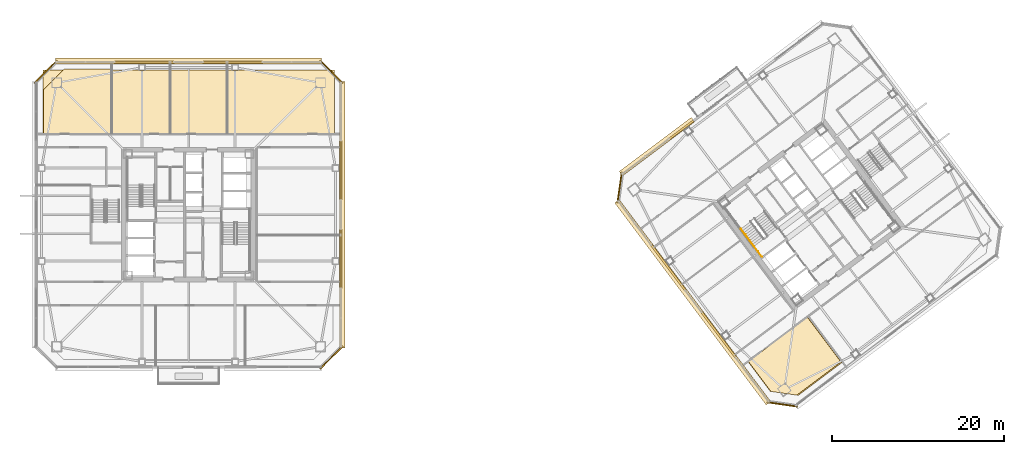
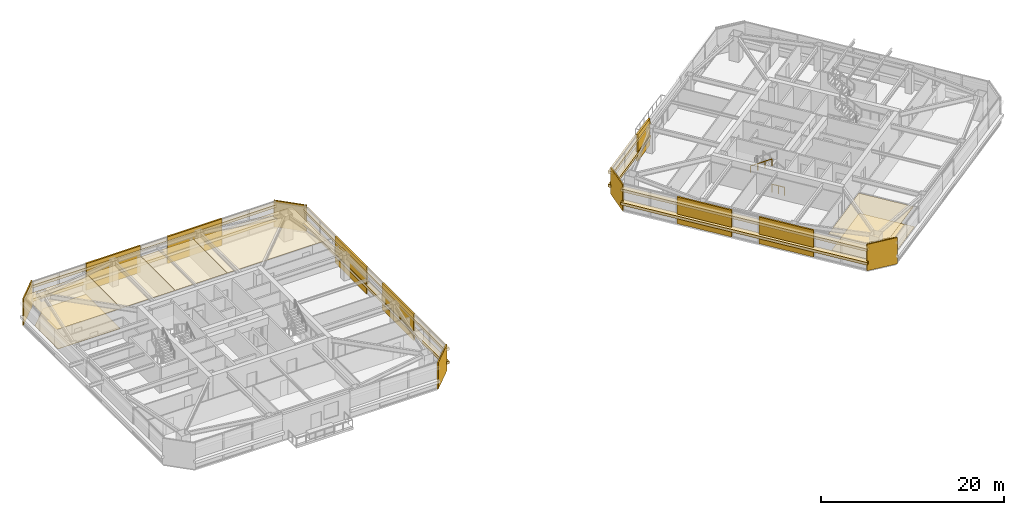
# One storey, part 41 of 44: 27 coverings, 2 railings.
"""IFC4 building model written with IfcOpenShell, lengths in metres."""

from ifc_helpers import new_model, si_unit, direction, frame, origin, origin_2d, place, context, subcontext, project, spatial, polyline, rectangle, outline, extrude, material, layer, layer_set, type_object, element, save


model = new_model("IFC4")

# Units and contexts
model_context = context("Model", 3, precision=1e-05, world=origin(), true_north=direction((0.0, 1.0)))
body_context = subcontext(model_context, "Body", "Model", "MODEL_VIEW")
ifc_project = project(units=[si_unit("LENGTHUNIT", "METRE"), si_unit("AREAUNIT", "SQUARE_METRE"), si_unit("VOLUMEUNIT", "CUBIC_METRE"), si_unit("PLANEANGLEUNIT", "RADIAN"), si_unit("MASSUNIT", "GRAM", prefix="KILO")], contexts=[model_context])

# Site, building, storey
site_placement = place(None, origin())
site = spatial("IfcSite", under=ifc_project, at=site_placement, CompositionType="ELEMENT")
building_placement = place(site_placement, origin())
building = spatial("IfcBuilding", under=site, at=building_placement, Name="Tashvorn Skyway Center", CompositionType="ELEMENT")
storey_placement = place(building_placement, frame((0.0, 0.0, 181.85009765625)))
storey = spatial("IfcBuildingStorey", under=building, at=storey_placement, Name="L49", CompositionType="ELEMENT", Elevation=181.85009765625)

# Coverings
ifc_material_1 = material(Name="Precast concrete C40/50", Category="concrete")
ifc_layer_1 = layer(ifc_material_1, 0.199951171875)
ifc_layer_set_1 = layer_set([ifc_layer_1], Name="Precast concrete C40/50")
covering_type_1 = type_object("IfcCoveringType", Name="COV-BRACE-CLAD", PredefinedType="CLADDING", material=ifc_layer_set_1)
for number, where, z_axis, x_axis, name in (
    (1, (36.873291015625, 49.679931640625, 0.0), (0.0, 0.0, 1.0), (1.0, 0.0, 0.0), "Tower 1 L49 North Unitised Curtain Wall Mega-Brace Cladding Band 1"),
    (2, (47.126708984375, 49.679931640625, 0.0), (0.0, 0.0, 1.0), (1.0, 0.0, 0.0), "Tower 1 L49 North Unitised Curtain Wall Mega-Brace Cladding Band 2"),
    (3, (59.679931640625, 37.126708984375, 0.0), (0.0, 0.0, 1.0), (0.0, -1.0, 0.0), "Tower 1 L49 East Unitised Curtain Wall Mega-Brace Cladding Band 1"),
    (4, (59.679931640625, 26.873291015625, 0.0), (0.0, 0.0, 1.0), (0.0, -1.0, 0.0), "Tower 1 L49 East Unitised Curtain Wall Mega-Brace Cladding Band 2"),
):
    element("IfcCovering", number, at=place(storey_placement, frame(where, z_axis=z_axis, x_axis=x_axis)), inside=storey, type_object=covering_type_1, Name=name, PredefinedType="CLADDING", context=body_context, shape_type="SweptSolid", body=[
        extrude(rectangle(XDim=6.83544921875, YDim=0.199951171875, at=origin_2d()), origin(), (0.0, 0.0, 1.0), 3.550048828125),
    ])
for number, where, z_axis, x_axis, name in (
    (5, (103.491943359375, 18.0439453125, 0.0), (0.0, 0.0, 1.0), (-0.600000004945, 0.799999996291, 0.0), "Tower 2 L49 West Unitised Curtain Wall Mega-Brace Cladding Band 1"),
    (6, (97.659912109375, 25.820068359375, 0.0), (0.0, 0.0, 1.0), (-0.600000004945, 0.799999996291, 0.0), "Tower 2 L49 West Unitised Curtain Wall Mega-Brace Cladding Band 2"),
):
    element("IfcCovering", number, at=place(storey_placement, frame(where, z_axis=z_axis, x_axis=x_axis)), inside=storey, type_object=covering_type_1, Name=name, PredefinedType="CLADDING", context=body_context, shape_type="SweptSolid", body=[
        extrude(rectangle(XDim=6.47998046875, YDim=0.199951171875, at=origin_2d()), origin(), (0.0, 0.0, 1.0), 3.550048828125),
    ])
covering_1_placement = place(storey_placement, frame((99.154541015625, 41.841064453125, 0.0), z_axis=(0.0, 0.0, 1.0), x_axis=(0.799999996291, 0.600000004945, 0.0)))
element("IfcCovering", 7, at=covering_1_placement, inside=storey, type_object=covering_type_1, Name="Tower 2 L49 North Curtain Wall L Mega-Brace Cladding Band 1", PredefinedType="CLADDING", context=body_context, shape_type="SweptSolid", body=[
    extrude(rectangle(XDim=3.443359375, YDim=0.199951171875, at=origin_2d()), origin(), (0.0, 0.0, 1.0), 3.550048828125),
])
ifc_material_2 = material(Name="Mineral-fibre acoustic ceiling tile on suspended grid")
ifc_layer_2 = layer(ifc_material_2, 0.02001953125)
ifc_layer_set_2 = layer_set([ifc_layer_2], Name="Mineral-fibre acoustic ceiling tile on suspended grid")
covering_type_2 = type_object("IfcCoveringType", Name="COV-CEIL-20", PredefinedType="CEILING", material=ifc_layer_set_2)
covering_2_placement = place(storey_placement, frame((0.0, 0.0, 2.702880859375)))
element("IfcCovering", 8, at=covering_2_placement, inside=storey, type_object=covering_type_2, Name="Tower 1 L49 Conference Room Acoustic Ceiling", PredefinedType="CEILING", context=body_context, shape_type="SweptSolid", body=[
    extrude(outline(polyline([(25.10009765625, 41.35009765625), (33.10009765625, 41.35009765625), (33.10009765625, 48.800048828125), (25.10009765625, 48.800048828125), (25.10009765625, 41.35009765625)])), origin(), (0.0, 0.0, 1.0), 0.02001953125),
])
covering_3_placement = place(storey_placement, frame((0.0, 0.0, 2.702880859375)))
element("IfcCovering", 9, at=covering_3_placement, inside=storey, type_object=covering_type_2, Name="Tower 1 L49 Conference Room Acoustic Ceiling", PredefinedType="CEILING", context=body_context, shape_type="SweptSolid", body=[
    extrude(outline(polyline([(33.10009765625, 41.35009765625), (39.89990234375, 41.35009765625), (39.89990234375, 48.800048828125), (33.10009765625, 48.800048828125), (33.10009765625, 41.35009765625)])), origin(), (0.0, 0.0, 1.0), 0.02001953125),
])
covering_4_placement = place(storey_placement, frame((0.0, 0.0, 2.702880859375)))
element("IfcCovering", 10, at=covering_4_placement, inside=storey, type_object=covering_type_2, Name="Tower 1 L49 Design Studio Acoustic Ceiling", PredefinedType="CEILING", context=body_context, shape_type="SweptSolid", body=[
    extrude(outline(polyline([(39.89990234375, 41.35009765625), (46.5, 41.35009765625), (46.5, 48.800048828125), (39.89990234375, 48.800048828125), (39.89990234375, 41.35009765625)])), origin(), (0.0, 0.0, 1.0), 0.02001953125),
])
covering_5_placement = place(storey_placement, frame((0.0, 0.0, 2.702880859375)))
element("IfcCovering", 11, at=covering_5_placement, inside=storey, type_object=covering_type_2, Name="Tower 1 L49 Gallery Showroom Acoustic Ceiling", PredefinedType="CEILING", context=body_context, shape_type="SweptSolid", body=[
    extrude(outline(polyline([(46.5, 41.35009765625), (58.89990234375, 41.35009765625), (58.89990234375, 48.800048828125), (46.5, 48.800048828125), (46.5, 41.35009765625)])), origin(), (0.0, 0.0, 1.0), 0.02001953125),
])
covering_6_placement = place(storey_placement, frame((0.0, 0.0, 2.702880859375)))
element("IfcCovering", 12, at=covering_6_placement, inside=storey, type_object=covering_type_2, Name="Tower 2 L49 Wellness Clinic Acoustic Ceiling", PredefinedType="CEILING", context=body_context, shape_type="SweptSolid", body=[
    extrude(outline(polyline([(106.929931640625, 14.9599609375), (113.778076171875, 20.095947265625), (117.672119140625, 14.904052734375), (112.552001953125, 11.06396484375), (109.528076171875, 11.49609375), (106.929931640625, 14.9599609375)])), origin(), (0.0, 0.0, 1.0), 0.02001953125),
])
ifc_material_3 = material(Name="Polished Mojave desert-aggregate terrazzo and cover plate")
ifc_layer_3 = layer(ifc_material_3, 0.0400390625)
ifc_layer_set_3 = layer_set([ifc_layer_3], Name="Polished Mojave desert-aggregate terrazzo and cover plate")
covering_type_3 = type_object("IfcCoveringType", Name="COV-FLR-40", PredefinedType="FLOORING", material=ifc_layer_set_3)
covering_7_placement = place(storey_placement, origin())
element("IfcCovering", 13, at=covering_7_placement, inside=storey, type_object=covering_type_3, Name="Tower 1 L49 Conference Room Finish Flooring", PredefinedType="FLOORING", context=body_context, shape_type="SweptSolid", body=[
    extrude(outline(polyline([(33.02001953125, 41.429931640625), (25.179931640625, 41.429931640625), (25.179931640625, 46.47998046875), (27.60009765625, 48.89990234375), (33.02001953125, 48.89990234375), (33.02001953125, 41.429931640625)])), origin(), (0.0, 0.0, 1.0), 0.039794921875),
])
covering_8_placement = place(storey_placement, origin())
element("IfcCovering", 14, at=covering_8_placement, inside=storey, type_object=covering_type_3, Name="Tower 2 L49 Wellness Clinic Finish Flooring", PredefinedType="FLOORING", context=body_context, shape_type="SweptSolid", body=[
    extrude(outline(polyline([(112.719970703125, 11.0400390625), (109.471923828125, 11.50390625), (106.922119140625, 14.904052734375), (113.833984375, 20.087890625), (117.77587890625, 14.83203125), (112.719970703125, 11.0400390625)])), origin(), (0.0, 0.0, 1.0), 0.039794921875),
])
ifc_material_4 = material(Name="Perforated ceramic-coated bronze aluminium solar screen", Category="aluminium")
ifc_layer_4 = layer(ifc_material_4, 0.85009765625)
ifc_layer_set_4 = layer_set([ifc_layer_4], Name="Perforated ceramic-coated bronze aluminium solar screen")
covering_type_4 = type_object("IfcCoveringType", Name="COV-SOLAR-BAND", PredefinedType="CLADDING", material=ifc_layer_set_4)
for number, where, z_axis, x_axis, name in (
    (15, (42.0, 49.820068359375, 0.919921875), (0.0, 0.0, 1.0), (1.0, 0.0, 0.0), "L49 Perforated Ceramic-Metal Solar Screen Louvre Band North 1"),
    (16, (42.0, 49.820068359375, 2.7197265625), (0.0, 0.0, 1.0), (1.0, 0.0, 0.0), "L49 Perforated Ceramic-Metal Solar Screen Louvre Band North 2"),
    (17, (59.820068359375, 32.0, 0.919921875), (0.0, 0.0, 1.0), (0.0, -1.0, 0.0), "L49 Perforated Ceramic-Metal Solar Screen Louvre Band East 1"),
    (18, (59.820068359375, 32.0, 2.7197265625), (0.0, 0.0, 1.0), (0.0, -1.0, 0.0), "L49 Perforated Ceramic-Metal Solar Screen Louvre Band East 2"),
):
    element("IfcCovering", number, at=place(storey_placement, frame(where, z_axis=z_axis, x_axis=x_axis)), inside=storey, type_object=covering_type_4, Name=name, PredefinedType="CLADDING", context=body_context, shape_type="SweptSolid", body=[
        extrude(rectangle(XDim=30.8798828125, YDim=0.639892578125, at=origin_2d()), origin(), (0.0, 0.0, 1.0), 0.360107421875),
    ])
for number, where, z_axis, x_axis, name in (
    (19, (100.464111328125, 21.847900390625, 0.919921875), (0.0, 0.0, 1.0), (-0.600000004945, 0.799999996291, 0.0), "L49 Perforated Ceramic-Metal Solar Screen Louvre Band West 1"),
    (20, (100.464111328125, 21.847900390625, 2.7197265625), (0.0, 0.0, 1.0), (-0.600000004945, 0.799999996291, 0.0), "L49 Perforated Ceramic-Metal Solar Screen Louvre Band West 2"),
):
    element("IfcCovering", number, at=place(storey_placement, frame(where, z_axis=z_axis, x_axis=x_axis)), inside=storey, type_object=covering_type_4, Name=name, PredefinedType="CLADDING", context=body_context, shape_type="SweptSolid", body=[
        extrude(rectangle(XDim=29.280029296875, YDim=0.639892578125, at=origin_2d()), origin(), (0.0, 0.0, 1.0), 0.360107421875),
    ])
for number, where, z_axis, x_axis, name in (
    (21, (96.31591796875, 39.886962890625, 0.919921875), (0.0, 0.0, 1.0), (0.799999996291, 0.600000004945, 0.0), "L49 Perforated Ceramic-Metal Solar Screen Louvre Band North 1"),
    (22, (96.31591796875, 39.886962890625, 2.7197265625), (0.0, 0.0, 1.0), (0.799999996291, 0.600000004945, 0.0), "L49 Perforated Ceramic-Metal Solar Screen Louvre Band North 2"),
):
    element("IfcCovering", number, at=place(storey_placement, frame(where, z_axis=z_axis, x_axis=x_axis)), inside=storey, type_object=covering_type_4, Name=name, PredefinedType="CLADDING", context=body_context, shape_type="SweptSolid", body=[
        extrude(rectangle(XDim=10.449951171875, YDim=0.639892578125, at=origin_2d()), origin(), (0.0, 0.0, 1.0), 0.360107421875),
    ])
ifc_layer_5 = layer(ifc_material_1, 0.35009765625)
ifc_layer_set_5 = layer_set([ifc_layer_5], Name="Precast concrete C40/50")
covering_type_5 = type_object("IfcCoveringType", Name="COV-STONE-TRIM", PredefinedType="CLADDING", material=ifc_layer_set_5)
for number, where, z_axis, x_axis, name in (
    (23, (25.429931640625, 48.570068359375, 0.02001953125), (0.0, 0.0, 1.0), (-0.707106781187, -0.707106781187, 0.0), "Tower 1 L49 NW Mojave Limestone Corner Quoin"),
    (24, (58.570068359375, 48.570068359375, 0.02001953125), (0.0, 0.0, 1.0), (0.707106781187, -0.707106781187, 0.0), "Tower 1 L49 NE Mojave Limestone Corner Quoin"),
    (25, (58.570068359375, 15.429931640625, 0.02001953125), (0.0, 0.0, 1.0), (0.707106781187, 0.707106781187, 0.0), "Tower 1 L49 SE Mojave Limestone Corner Quoin"),
):
    element("IfcCovering", number, at=place(storey_placement, frame(where, z_axis=z_axis, x_axis=x_axis)), inside=storey, type_object=covering_type_5, Name=name, PredefinedType="CLADDING", context=body_context, shape_type="SweptSolid", body=[
        extrude(rectangle(XDim=3.695556640625, YDim=0.139892578125, at=origin_2d()), origin(), (0.0, 0.0, 1.0), 3.510009765625),
    ])
for number, where, z_axis, x_axis, name in (
    (26, (110.85595703125, 9.991943359375, 0.02001953125), (0.0, 0.0, 1.0), (-0.989949494535, 0.141421350118, 0.0), "Tower 2 L49 SW Mojave Limestone Corner Quoin"),
    (27, (91.991943359375, 35.14404296875, 0.02001953125), (0.0, 0.0, 1.0), (-0.141421350118, -0.989949494535, 0.0), "Tower 2 L49 NW Mojave Limestone Corner Quoin"),
):
    element("IfcCovering", number, at=place(storey_placement, frame(where, z_axis=z_axis, x_axis=x_axis)), inside=storey, type_object=covering_type_5, Name=name, PredefinedType="CLADDING", context=body_context, shape_type="SweptSolid", body=[
        extrude(rectangle(XDim=3.55419921875, YDim=0.139892578125, at=origin_2d()), origin(), (0.0, 0.0, 1.0), 3.510009765625),
    ])

# Railings
ifc_material_5 = material(Name="Brushed stainless steel 316", Category="steel")
railing_type_1 = type_object("IfcRailingType", Name="RAIL-HAND-920", PredefinedType="HANDRAIL", material=ifc_material_5)
railing_1_placement = place(storey_placement, frame((106.072021484375, 30.35400390625, 1.952392578125)))
element("IfcRailing", 28, at=railing_1_placement, inside=storey, type_object=railing_type_1, Name="L49 ST-T2-1 stair handrail 2", PredefinedType="HANDRAIL", context=body_context, shape_type="SweptSolid", body=[
    extrude(rectangle(XDim=0.048095703125, YDim=0.048095703125, at=origin_2d()), frame((0.0, 0.0, 0.8759765625), z_axis=(0.506740800098, -0.675708949977, 0.535379469569), x_axis=(0.800023250257, 0.599968998406, 0.0)), (0.0, 0.0, 1.0), 2.983642578125),
    extrude(rectangle(XDim=0.0419921875, YDim=0.0419921875, at=origin_2d()), origin(), (0.0, 0.0, 1.0), 0.851806640625),
    extrude(rectangle(XDim=0.0419921875, YDim=0.0419921875, at=origin_2d()), frame((0.50390625, -0.672119140625, 0.532470703125)), (0.0, 0.0, 1.0), 0.851806640625),
    extrude(rectangle(XDim=0.0419921875, YDim=0.0419921875, at=origin_2d()), frame((1.008056640625, -1.343994140625, 1.06494140625)), (0.0, 0.0, 1.0), 0.851806640625),
    extrude(rectangle(XDim=0.0419921875, YDim=0.0419921875, at=origin_2d()), frame((1.511962890625, -2.01611328125, 1.597412109375)), (0.0, 0.0, 1.0), 0.851806640625),
])
ifc_material_6 = material(Name="Painted galvanized steel S355", Category="steel")
railing_type_2 = type_object("IfcRailingType", Name="RAIL-STGUARD-1100", PredefinedType="GUARDRAIL", material=ifc_material_6)
railing_2_placement = place(storey_placement, frame((108.49609375, 27.1220703125, 0.0)))
element("IfcRailing", 29, at=railing_2_placement, inside=storey, type_object=railing_type_2, Name="L49 ST-T2-1 stair guard 6", PredefinedType="GUARDRAIL", context=body_context, shape_type="SweptSolid", body=[
    extrude(rectangle(XDim=0.048095703125, YDim=0.048095703125, at=origin_2d()), frame((0.0, 0.0, 1.076171875), z_axis=(-0.600102796382, 0.799922892393, 0.0), x_axis=(-0.799922892393, -0.600102796382, 0.0)), (0.0, 0.0, 1.0), 1.52001953125),
    extrude(rectangle(XDim=0.0419921875, YDim=0.0419921875, at=origin_2d()), origin(), (0.0, 0.0, 1.0), 1.052001953125),
    extrude(rectangle(XDim=0.0419921875, YDim=0.0419921875, at=origin_2d()), frame((-0.4560546875, 0.60791015625, 0.0)), (0.0, 0.0, 1.0), 1.052001953125),
    extrude(rectangle(XDim=0.0419921875, YDim=0.0419921875, at=origin_2d()), frame((-0.912109375, 1.2158203125, 0.0)), (0.0, 0.0, 1.0), 1.052001953125),
])

save(model, "model.ifc")
